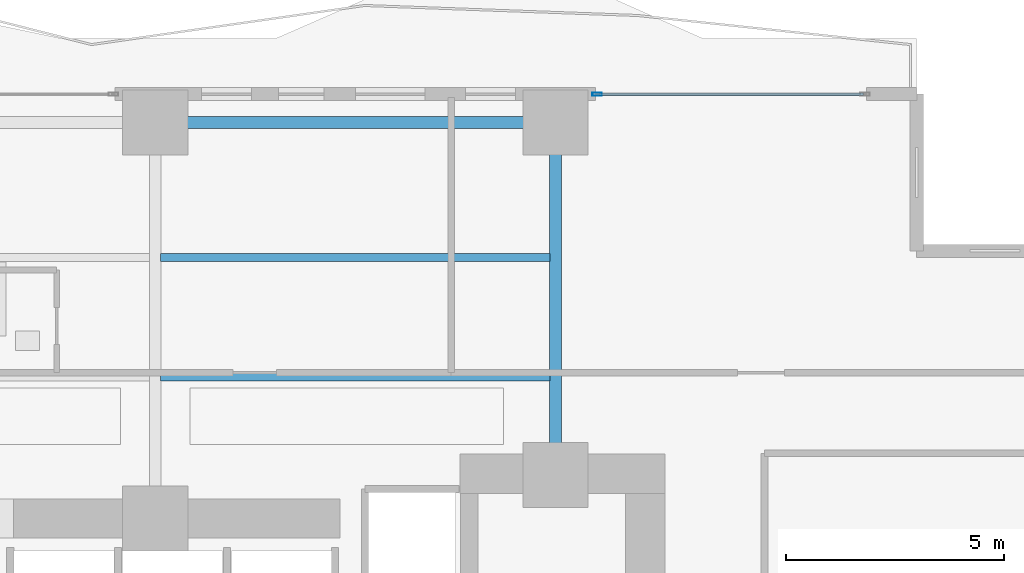
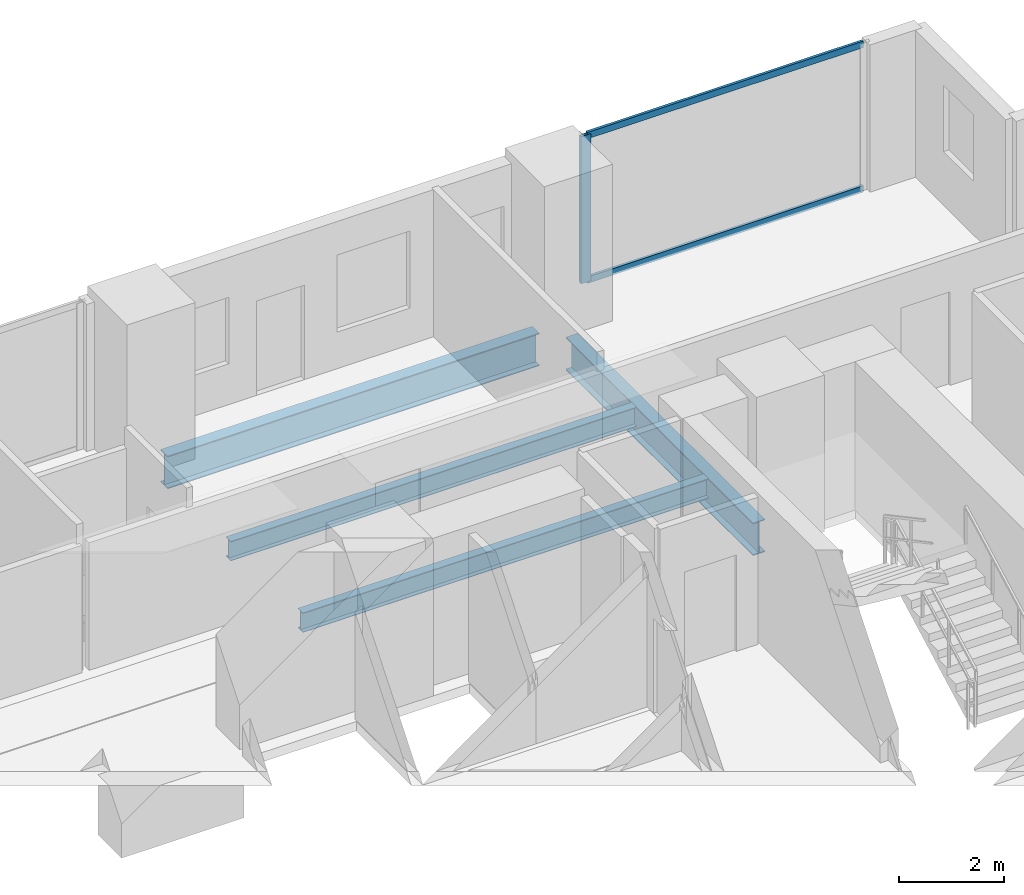
# One storey, part 16 of 28: 4 beams, 3 members, 1 element without a shape of its own.
"""IFC4 building model written with IfcOpenShell, lengths in metres."""

from ifc_helpers import new_model, si_unit, direction, frame, origin, origin_2d, place, context, subcontext, project, spatial, hollow_rectangle, i_section, extrude, material, layer, layer_set, material_profile, profile_set, type_object, element, aggregate, save


model = new_model("IFC4")

# Units and contexts
model_context = context("Model", 3, precision=1e-05, world=origin(), true_north=direction((0.0, 1.0)))
body_context = subcontext(model_context, "Body", "Model", "MODEL_VIEW")
ifc_project = project(units=[si_unit("LENGTHUNIT", "METRE"), si_unit("AREAUNIT", "SQUARE_METRE"), si_unit("VOLUMEUNIT", "CUBIC_METRE"), si_unit("PLANEANGLEUNIT", "RADIAN"), si_unit("MASSUNIT", "GRAM", prefix="KILO")], contexts=[model_context])

# Site, building, storey
site_placement = place(None, origin())
site = spatial("IfcSite", under=ifc_project, at=site_placement, CompositionType="ELEMENT")
building_placement = place(site_placement, origin())
building = spatial("IfcBuilding", under=site, at=building_placement, Name="Zuhayl Quay Hotel", CompositionType="ELEMENT")
storey_placement = place(building_placement, frame((0.0, 0.0, 75.050048828125)))
storey = spatial("IfcBuildingStorey", under=building, at=storey_placement, Name="L18", CompositionType="ELEMENT", Elevation=75.050048828125)

# Beams
ifc_material_1 = material(Name="Steel ASTM A992 Grade 50", Category="steel")
ifc_material_profile_1 = material_profile(ifc_material_1, i_section(OverallWidth=0.26708984375, OverallDepth=0.761962890625, WebThickness=0.014404296875, FlangeThickness=0.021484375, at=origin_2d()), Name="W30X116")
ifc_profile_set_1 = profile_set([ifc_material_profile_1], Name="Steel ASTM A992 Grade 50")
beam_type_1 = type_object("IfcBeamType", Name="BM_B1_W30X116", PredefinedType="BEAM", material=ifc_profile_set_1)
beam_1_placement = place(storey_placement, frame((13.300048828125, 22.449951171875, -0.60107421875), z_axis=(-1.0, 0.0, 0.0), x_axis=(0.0, -1.0, 0.0)))
element("IfcBeam", 1, at=beam_1_placement, inside=storey, type_object=beam_type_1, Name="L18 Floor Beam RG_L18_07", PredefinedType="BEAM", context=body_context, shape_type="SweptSolid", body=[
    extrude(i_section(OverallWidth=0.26708984375, OverallDepth=0.761962890625, WebThickness=0.014404296875, FlangeThickness=0.021484375, at=origin_2d()), origin(), (0.0, 0.0, 1.0), 8.199951171875),
])
beam_2_placement = place(storey_placement, frame((13.800048828125, 14.800048828125, -0.60107421875), z_axis=(0.0, 1.0, 0.0), x_axis=(-1.0, 0.0, 0.0)))
element("IfcBeam", 2, at=beam_2_placement, inside=storey, type_object=beam_type_1, Name="L18 Floor Beam FG_N_L18_4", PredefinedType="BEAM", context=body_context, shape_type="SweptSolid", body=[
    extrude(i_section(OverallWidth=0.26708984375, OverallDepth=0.761962890625, WebThickness=0.014404296875, FlangeThickness=0.021484375, at=origin_2d()), origin(), (0.0, 0.0, 1.0), 7.14990234375),
])
ifc_material_profile_2 = material_profile(ifc_material_1, i_section(OverallWidth=0.18994140625, OverallDepth=0.45703125, WebThickness=0.009033203125, FlangeThickness=0.014404296875, at=origin_2d()), Name="W18X50")
ifc_profile_set_2 = profile_set([ifc_material_profile_2], Name="Steel ASTM A992 Grade 50")
beam_type_2 = type_object("IfcBeamType", Name="BM_J2_W18X50", PredefinedType="JOIST", material=ifc_profile_set_2)
for number, where, z_axis, x_axis, name in (
    (3, (4.7255859375, 16.60009765625, -0.448486328125), (1.0, 0.0, 0.0), (0.0, 1.0, 0.0), "L18 Floor Beam FJ_L18_1_3"),
    (4, (4.7255859375, 19.35009765625, -0.448486328125), (1.0, 0.0, 0.0), (0.0, 1.0, 0.0), "L18 Floor Beam FJ_L18_2_3"),
):
    element("IfcBeam", number, at=place(storey_placement, frame(where, z_axis=z_axis, x_axis=x_axis)), inside=storey, type_object=beam_type_2, Name=name, PredefinedType="JOIST", context=body_context, shape_type="SweptSolid", body=[
        extrude(i_section(OverallWidth=0.18994140625, OverallDepth=0.45703125, WebThickness=0.009033203125, FlangeThickness=0.014404296875, at=origin_2d()), origin(), (0.0, 0.0, 1.0), 8.948974609375),
    ])

# Curtain wall, members
ifc_material_2 = material(Name="Anodised Aluminium 6063-T6", Category="aluminium")
ifc_layer = layer(ifc_material_2, 0.18994140625, Name="Anodised Aluminium 6063-T6", Category="aluminium")
ifc_layer_set = layer_set([ifc_layer], Name="Anodised Aluminium 6063-T6")
curtain_wall_type = type_object("IfcCurtainWallType", Name="CW_SYS_Z1", PredefinedType="USERDEFINED", material=ifc_layer_set)
curtain_wall_placement = place(storey_placement, origin())
curtain_wall = element("IfcCurtainWall", 5, at=curtain_wall_placement, inside=storey, type_object=curtain_wall_type, Name="L18 Curtain Wall ENV_L18_N_CW4", ObjectType="UNITISED CURTAIN WALL", PredefinedType="USERDEFINED")
ifc_material_3 = material(Name="Black-anodised aluminium 6063-T6", Category="aluminium")
ifc_material_profile_3 = material_profile(ifc_material_3, hollow_rectangle(XDim=0.074951171875, YDim=0.219970703125, WallThickness=0.00390625, at=origin_2d()), Name="ALU220X75")
ifc_profile_set_3 = profile_set([ifc_material_profile_3], Name="Black-anodised aluminium 6063-T6")
member_type_1 = type_object("IfcMemberType", Name="MB_CW_MUL_220", PredefinedType="MULLION", material=ifc_profile_set_3)
member_1_placement = place(storey_placement, frame((14.757568359375, 23.10009765625, 0.0), z_axis=(0.0, 0.0, 1.0), x_axis=(0.0, 1.0, 0.0)))
member_1 = element("IfcMember", 6, at=member_1_placement, type_object=member_type_1, Name="CW-Z1 mullion 1", PredefinedType="MULLION", context=body_context, shape_type="SweptSolid", body=[
    extrude(hollow_rectangle(XDim=0.074951171875, YDim=0.219970703125, WallThickness=0.00390625, at=origin_2d()), origin(), (0.0, 0.0, 1.0), 3.429931640625),
])
ifc_material_profile_4 = material_profile(ifc_material_3, hollow_rectangle(XDim=0.06005859375, YDim=0.14990234375, WallThickness=0.00341796875, at=origin_2d()), Name="ALU150X60")
ifc_profile_set_4 = profile_set([ifc_material_profile_4], Name="Black-anodised aluminium 6063-T6")
member_type_2 = type_object("IfcMemberType", Name="MB_CW_TRN_150", PredefinedType="USERDEFINED", material=ifc_profile_set_4)
member_2_placement = place(storey_placement, frame((14.794921875, 23.10009765625, 0.030029296875), z_axis=(1.0, 0.0, 0.0), x_axis=(0.0, 1.0, 0.0)))
member_2 = element("IfcMember", 7, at=member_2_placement, type_object=member_type_2, Name="CW-Z1 transom 1.1", ObjectType="TRANSOM", PredefinedType="USERDEFINED", context=body_context, shape_type="SweptSolid", body=[
    extrude(hollow_rectangle(XDim=0.06005859375, YDim=0.14990234375, WallThickness=0.00341796875, at=origin_2d()), origin(), (0.0, 0.0, 1.0), 6.080078125),
])
member_3_placement = place(storey_placement, frame((14.794921875, 23.10009765625, 3.39990234375), z_axis=(1.0, 0.0, 0.0), x_axis=(0.0, 1.0, 0.0)))
member_3 = element("IfcMember", 8, at=member_3_placement, type_object=member_type_2, Name="CW-Z1 transom 1.2", ObjectType="TRANSOM", PredefinedType="USERDEFINED", context=body_context, shape_type="SweptSolid", body=[
    extrude(hollow_rectangle(XDim=0.06005859375, YDim=0.14990234375, WallThickness=0.00341796875, at=origin_2d()), origin(), (0.0, 0.0, 1.0), 6.080078125),
])
aggregate(curtain_wall, [member_1, member_2, member_3])

save(model, "model.ifc")
